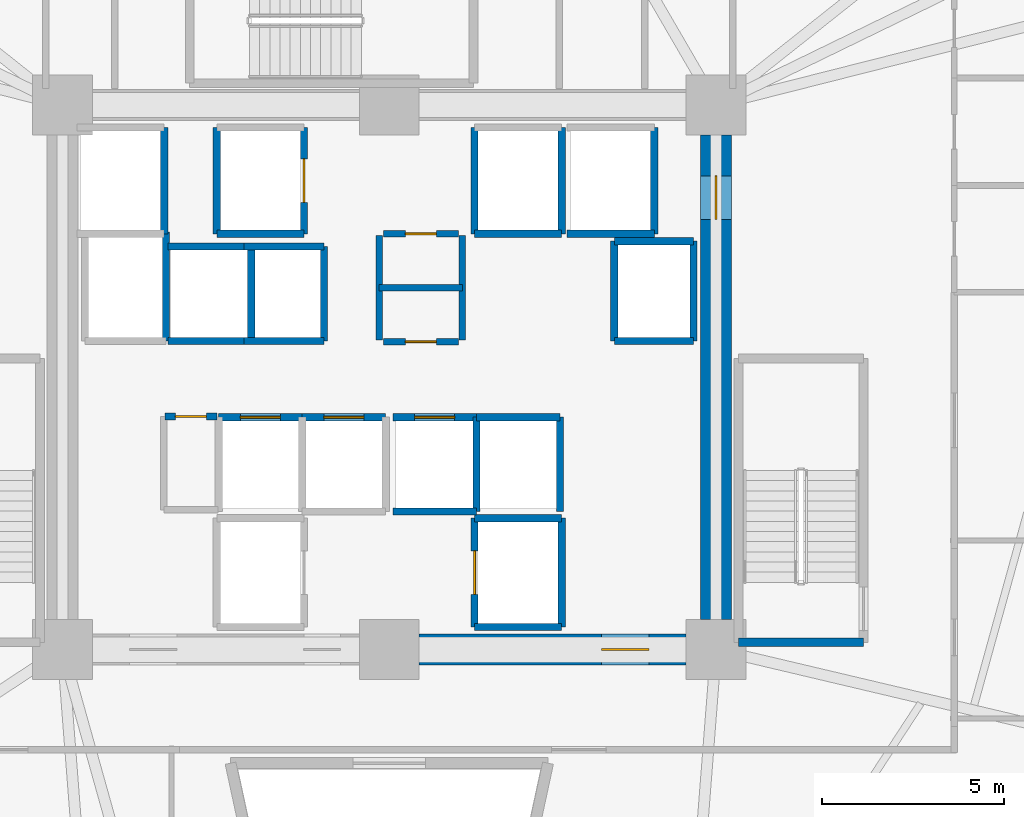
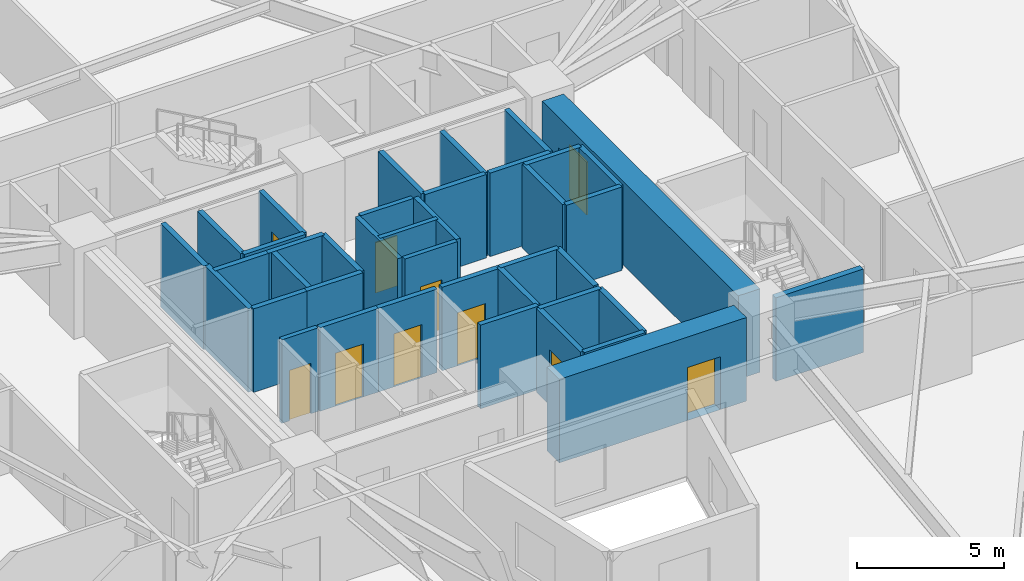
# One storey, part 5 of 8: 40 walls, 10 doors, 10 openings.
"""IFC4 building model written with IfcOpenShell, lengths in metres."""

from ifc_helpers import new_model, si_unit, direction, frame, frame_2d, origin, place, context, subcontext, project, spatial, rectangle, extrude, source, transform, mapped, material, layer, layer_set, type_object, element, fill, save


model = new_model("IFC4")

# Units and contexts
model_context = context("Model", 3, precision=1e-05, world=origin(), true_north=direction((0.0, 1.0)))
body_context = subcontext(model_context, "Body", "Model", "MODEL_VIEW")
ifc_project = project(units=[si_unit("LENGTHUNIT", "METRE"), si_unit("AREAUNIT", "SQUARE_METRE"), si_unit("VOLUMEUNIT", "CUBIC_METRE"), si_unit("PLANEANGLEUNIT", "RADIAN"), si_unit("MASSUNIT", "GRAM", prefix="KILO")], contexts=[model_context])

# Site, building, storey
site_placement = place(None, origin())
site = spatial("IfcSite", under=ifc_project, at=site_placement, CompositionType="ELEMENT")
building_placement = place(site_placement, origin())
building = spatial("IfcBuilding", under=site, at=building_placement, Name="Liaohun Quay Tower", CompositionType="ELEMENT")
storey_placement = place(building_placement, frame((0.0, 0.0, 43.5)))
storey = spatial("IfcBuildingStorey", under=building, at=storey_placement, Name="L11", CompositionType="ELEMENT", Elevation=43.5)

# Wall, opening, door
ifc_material_1 = material(Name="Concrete C60", Category="concrete")
ifc_layer_1 = layer(ifc_material_1, 0.85009765625, Name="Concrete C60", Category="concrete")
ifc_layer_set_1 = layer_set([ifc_layer_1], Name="Concrete C60")
wall_type_1 = type_object("IfcWallType", Name="WAL-COR-Z1", PredefinedType="SHEAR", material=ifc_layer_set_1)
wall_1_placement = place(storey_placement, frame((69.0, 60.675048828125, 0.0), z_axis=(0.0, 0.0, 1.0), x_axis=(0.0, -1.0, 0.0)))
wall_1 = element("IfcWall", 1, at=wall_1_placement, inside=storey, type_object=wall_type_1, Name="L11 Central Core Shear Wall E", PredefinedType="SHEAR", context=body_context, shape_type="SweptSolid", body=[
    extrude(rectangle(XDim=13.35009765625, YDim=0.85009765625, at=frame_2d((6.675048828125, 0.0))), origin(), (0.0, 0.0, 1.0), 3.469970703125),
])
shared_shape_1 = source(origin(), body_context, "Body", "SweptSolid", [
    extrude(rectangle(XDim=1.199951171875, YDim=2.199951171875, at=frame_2d((0.60009765625, 1.10009765625))), frame((0.0, 0.43505859375, 0.0), z_axis=(0.0, -1.0, 0.0), x_axis=(1.0, 0.0, 0.0)), (0.0, 0.0, 1.0), 0.8701171875),
])
opening_1_placement = place(wall_1_placement, frame((1.125, 0.0, 0.0)))
opening_1 = element("IfcOpeningElement", 2, at=opening_1_placement, cuts=wall_1, Name="Opening SD1", PredefinedType="OPENING", context=body_context, shape_type="MappedRepresentation", body=[
    mapped(shared_shape_1, transform((0.0, 0.0, 0.0), x_axis=(1.0, 0.0, 0.0), y_axis=(0.0, 1.0, 0.0), z_axis=(0.0, 0.0, 1.0), scale=1.0)),
])
ifc_material_2 = material(Name="Galvanised steel fire door", Category="steel")
door_type_1 = type_object("IfcDoorType", Name="DOR-STR-1200", OperationType="NOTDEFINED", PredefinedType="DOOR", material=ifc_material_2)
shared_shape_2 = source(origin(), body_context, "Body", "SweptSolid", [
    extrude(rectangle(XDim=1.199951171875, YDim=2.199951171875, at=frame_2d((0.60009765625, 1.10009765625))), frame((0.0, 0.02490234375, 0.0), z_axis=(0.0, -1.0, 0.0), x_axis=(1.0, 0.0, 0.0)), (0.0, 0.0, 1.0), 0.050048828125),
])
door_1_placement = place(opening_1_placement, origin())
door_1 = element("IfcDoor", 3, at=door_1_placement, inside=storey, type_object=door_type_1, Name="L11 North-East Core Lobby Smokeproof Door", OperationType="SINGLE_SWING_LEFT", OverallHeight=2.199951171875, OverallWidth=1.199951171875, PredefinedType="DOOR", context=body_context, shape_type="MappedRepresentation", body=[
    mapped(shared_shape_2, transform((0.0, 0.0, 0.0), x_axis=(1.0, 0.0, 0.0), y_axis=(0.0, 1.0, 0.0), z_axis=(0.0, 0.0, 1.0), scale=1.0)),
])
fill(opening_1, door_1)

wall_2_placement = place(storey_placement, frame((68.175048828125, 46.5, 0.0), z_axis=(0.0, 0.0, 1.0), x_axis=(-1.0, 0.0, 0.0)))
wall_2 = element("IfcWall", 4, at=wall_2_placement, inside=storey, type_object=wall_type_1, Name="L11 Central Core Shear Wall S-E", PredefinedType="SHEAR", context=body_context, shape_type="SweptSolid", body=[
    extrude(rectangle(XDim=7.35009765625, YDim=0.85009765625, at=frame_2d((3.675048828125, 0.0))), origin(), (0.0, 0.0, 1.0), 3.469970703125),
])
shared_shape_3 = source(origin(), body_context, "Body", "SweptSolid", [
    extrude(rectangle(XDim=1.300048828125, YDim=2.199951171875, at=frame_2d((0.64990234375, 1.10009765625))), frame((0.0, 0.43505859375, 0.0), z_axis=(0.0, -1.0, 0.0), x_axis=(1.0, 0.0, 0.0)), (0.0, 0.0, 1.0), 0.8701171875),
])
opening_2_placement = place(wall_2_placement, frame((1.02490234375, 0.0, 0.0)))
opening_2 = element("IfcOpeningElement", 5, at=opening_2_placement, cuts=wall_2, Name="Opening FD1", PredefinedType="OPENING", context=body_context, shape_type="MappedRepresentation", body=[
    mapped(shared_shape_3, transform((0.0, 0.0, 0.0), x_axis=(1.0, 0.0, 0.0), y_axis=(0.0, 1.0, 0.0), z_axis=(0.0, 0.0, 1.0), scale=1.0)),
])
ifc_material_3 = material(Name="Galvanised steel smokeproof fire door", Category="steel")
door_type_2 = type_object("IfcDoorType", Name="DOR-FFL-1300", OperationType="NOTDEFINED", PredefinedType="DOOR", material=ifc_material_3)
shared_shape_4 = source(origin(), body_context, "Body", "SweptSolid", [
    extrude(rectangle(XDim=1.300048828125, YDim=2.199951171875, at=frame_2d((0.64990234375, 1.10009765625))), frame((0.0, 0.02490234375, 0.0), z_axis=(0.0, -1.0, 0.0), x_axis=(1.0, 0.0, 0.0)), (0.0, 0.0, 1.0), 0.050048828125),
])
door_2_placement = place(opening_2_placement, origin())
door_2 = element("IfcDoor", 6, at=door_2_placement, inside=storey, type_object=door_type_2, Name="L11 East Core Lift Lobby Smokeproof Door", OperationType="SINGLE_SWING_LEFT", OverallHeight=2.199951171875, OverallWidth=1.300048828125, PredefinedType="DOOR", context=body_context, shape_type="MappedRepresentation", body=[
    mapped(shared_shape_4, transform((0.0, 0.0, 0.0), x_axis=(1.0, 0.0, 0.0), y_axis=(0.0, 1.0, 0.0), z_axis=(0.0, 0.0, 1.0), scale=1.0)),
])
fill(opening_2, door_2)

ifc_material_4 = material(Name="Autoclaved aerated concrete blockwork", Category="masonry")
ifc_layer_2 = layer(ifc_material_4, 0.179931640625, Name="Autoclaved aerated concrete blockwork", Category="masonry")
ifc_layer_set_2 = layer_set([ifc_layer_2], Name="Autoclaved aerated concrete blockwork")
wall_type_2 = type_object("IfcWallType", Name="WAL-PRT-COR", PredefinedType="PARTITIONING", material=ifc_layer_set_2)
wall_3_placement = place(storey_placement, frame((59.840087890625, 54.97998046875, 0.0), z_axis=(0.0, 0.0, 1.0), x_axis=(1.0, 0.0, 0.0)))
wall_3 = element("IfcWall", 7, at=wall_3_placement, inside=storey, type_object=wall_type_2, Name="L11 Interior Partition Wall 001", PredefinedType="PARTITIONING", context=body_context, shape_type="SweptSolid", body=[
    extrude(rectangle(XDim=2.059814453125, YDim=0.179931640625, at=frame_2d((1.02978515625, 0.0))), origin(), (0.0, 0.0, 1.0), 3.469970703125),
])
shared_shape_5 = source(origin(), body_context, "Body", "SweptSolid", [
    extrude(rectangle(XDim=0.85009765625, YDim=2.10009765625, at=frame_2d((0.425048828125, 1.050048828125))), frame((0.0, 0.099853515625, 0.0), z_axis=(0.0, -1.0, 0.0), x_axis=(1.0, 0.0, 0.0)), (0.0, 0.0, 1.0), 0.199951171875),
])
opening_3_placement = place(wall_3_placement, frame((0.60498046875, 0.0, 0.0)))
opening_3 = element("IfcOpeningElement", 8, at=opening_3_placement, cuts=wall_3, Name="Opening AD1", PredefinedType="OPENING", context=body_context, shape_type="MappedRepresentation", body=[
    mapped(shared_shape_5, transform((0.0, 0.0, 0.0), x_axis=(1.0, 0.0, 0.0), y_axis=(0.0, 1.0, 0.0), z_axis=(0.0, 0.0, 1.0), scale=1.0)),
])
ifc_material_5 = material(Name="Steel riser inspection fire door", Category="steel")
door_type_3 = type_object("IfcDoorType", Name="DOR-SHF-850", OperationType="NOTDEFINED", PredefinedType="DOOR", material=ifc_material_5)
shared_shape_6 = source(origin(), body_context, "Body", "SweptSolid", [
    extrude(rectangle(XDim=0.85009765625, YDim=2.10009765625, at=frame_2d((0.425048828125, 1.050048828125))), frame((0.0, 0.02490234375, 0.0), z_axis=(0.0, -1.0, 0.0), x_axis=(1.0, 0.0, 0.0)), (0.0, 0.0, 1.0), 0.050048828125),
])
door_3_placement = place(opening_3_placement, origin())
door_3 = element("IfcDoor", 9, at=door_3_placement, inside=storey, type_object=door_type_3, Name="L11 Electrical Riser Room Door", OperationType="SINGLE_SWING_RIGHT", OverallHeight=2.10009765625, OverallWidth=0.85009765625, PredefinedType="DOOR", context=body_context, shape_type="MappedRepresentation", body=[
    mapped(shared_shape_6, transform((0.0, 0.0, 0.0), x_axis=(1.0, 0.0, 0.0), y_axis=(0.0, 1.0, 0.0), z_axis=(0.0, 0.0, 1.0), scale=1.0)),
])
fill(opening_3, door_3)

wall_4_placement = place(storey_placement, frame((59.840087890625, 57.949951171875, 0.0), z_axis=(0.0, 0.0, 1.0), x_axis=(1.0, 0.0, 0.0)))
wall_4 = element("IfcWall", 10, at=wall_4_placement, inside=storey, type_object=wall_type_2, Name="L11 Interior Partition Wall 002", PredefinedType="PARTITIONING", context=body_context, shape_type="SweptSolid", body=[
    extrude(rectangle(XDim=2.059814453125, YDim=0.179931640625, at=frame_2d((1.02978515625, 0.0))), origin(), (0.0, 0.0, 1.0), 3.469970703125),
])
opening_4_placement = place(wall_4_placement, frame((0.60498046875, 0.0, 0.0)))
opening_4 = element("IfcOpeningElement", 11, at=opening_4_placement, cuts=wall_4, Name="Opening AD1", PredefinedType="OPENING", context=body_context, shape_type="MappedRepresentation", body=[
    mapped(shared_shape_5, transform((0.0, 0.0, 0.0), x_axis=(1.0, 0.0, 0.0), y_axis=(0.0, 1.0, 0.0), z_axis=(0.0, 0.0, 1.0), scale=1.0)),
])
door_4_placement = place(opening_4_placement, origin())
door_4 = element("IfcDoor", 12, at=door_4_placement, inside=storey, type_object=door_type_3, Name="L11 Telecom Comms Closet Door", OperationType="SINGLE_SWING_LEFT", OverallHeight=2.10009765625, OverallWidth=0.85009765625, PredefinedType="DOOR", context=body_context, shape_type="MappedRepresentation", body=[
    mapped(shared_shape_6, transform((0.0, 0.0, 0.0), x_axis=(1.0, 0.0, 0.0), y_axis=(0.0, 1.0, 0.0), z_axis=(0.0, 0.0, 1.0), scale=1.0)),
])
fill(opening_4, door_4)

wall_5_placement = place(storey_placement, frame((53.820068359375, 52.919921875, 0.0), z_axis=(0.0, 0.0, 1.0), x_axis=(1.0, 0.0, 0.0)))
wall_5 = element("IfcWall", 13, at=wall_5_placement, inside=storey, type_object=wall_type_2, Name="L11 Interior Partition Wall 003", PredefinedType="PARTITIONING", context=body_context, shape_type="SweptSolid", body=[
    extrude(rectangle(XDim=1.429931640625, YDim=0.179931640625, at=frame_2d((0.71484375, 0.0))), origin(), (0.0, 0.0, 1.0), 3.469970703125),
])
opening_5_placement = place(wall_5_placement, frame((0.2900390625, 0.0, 0.0)))
opening_5 = element("IfcOpeningElement", 14, at=opening_5_placement, cuts=wall_5, Name="Opening AD1", PredefinedType="OPENING", context=body_context, shape_type="MappedRepresentation", body=[
    mapped(shared_shape_5, transform((0.0, 0.0, 0.0), x_axis=(1.0, 0.0, 0.0), y_axis=(0.0, 1.0, 0.0), z_axis=(0.0, 0.0, 1.0), scale=1.0)),
])
door_5_placement = place(opening_5_placement, origin())
door_5 = element("IfcDoor", 15, at=door_5_placement, inside=storey, type_object=door_type_3, Name="L11 Core Fire Hose and Riser Closet Door", OperationType="SINGLE_SWING_RIGHT", OverallHeight=2.10009765625, OverallWidth=0.85009765625, PredefinedType="DOOR", context=body_context, shape_type="MappedRepresentation", body=[
    mapped(shared_shape_6, transform((0.0, 0.0, 0.0), x_axis=(1.0, 0.0, 0.0), y_axis=(0.0, 1.0, 0.0), z_axis=(0.0, 0.0, 1.0), scale=1.0)),
])
fill(opening_5, door_5)

# Walls
for number, where, z_axis, x_axis, name in (
    (16, (59.719970703125, 55.02001953125, 0.0), (0.0, 0.0, 1.0), (0.0, 1.0, 0.0), "L11 Interior Partition Wall 023"),
    (17, (62.010009765625, 55.02001953125, 0.0), (0.0, 0.0, 1.0), (0.0, 1.0, 0.0), "L11 Interior Partition Wall 024"),
):
    element("IfcWall", number, at=place(storey_placement, frame(where, z_axis=z_axis, x_axis=x_axis)), inside=storey, type_object=wall_type_2, Name=name, PredefinedType="PARTITIONING", context=body_context, shape_type="SweptSolid", body=[
        extrude(rectangle(XDim=2.8798828125, YDim=0.179931640625, at=frame_2d((1.43994140625, 0.0))), origin(), (0.0, 0.0, 1.0), 3.469970703125),
    ])
wall_6_placement = place(storey_placement, frame((59.719970703125, 56.4599609375, 0.0), z_axis=(0.0, 0.0, 1.0), x_axis=(1.0, 0.0, 0.0)))
element("IfcWall", 18, at=wall_6_placement, inside=storey, type_object=wall_type_2, Name="L11 Interior Partition Wall 025", PredefinedType="PARTITIONING", context=body_context, shape_type="SweptSolid", body=[
    extrude(rectangle(XDim=2.2900390625, YDim=0.179931640625, at=frame_2d((1.14501953125, 0.0))), origin(), (0.0, 0.0, 1.0), 3.469970703125),
])
ifc_material_6 = material(Name="Concrete C50", Category="concrete")
ifc_layer_3 = layer(ifc_material_6, 0.239990234375, Name="Concrete C50", Category="concrete")
ifc_layer_set_3 = layer_set([ifc_layer_3], Name="Concrete C50")
wall_type_3 = type_object("IfcWallType", Name="WAL-SHF-200", PredefinedType="SOLIDWALL", material=ifc_layer_set_3)
wall_7_placement = place(storey_placement, frame((69.6201171875, 46.699951171875, 0.0), z_axis=(0.0, 0.0, 1.0), x_axis=(1.0, 0.0, 0.0)))
element("IfcWall", 19, at=wall_7_placement, inside=storey, type_object=wall_type_3, Name="L11 Stairwell ST-2 Structural Core Wall S", PredefinedType="SOLIDWALL", context=body_context, shape_type="SweptSolid", body=[
    extrude(rectangle(XDim=3.43994140625, YDim=0.239990234375, at=frame_2d((1.719970703125, 0.0))), origin(), (0.0, 0.0, 1.0), 3.469970703125),
])
wall_8_placement = place(storey_placement, frame((62.35009765625, 47.1201171875, 0.0), z_axis=(0.0, 0.0, 1.0), x_axis=(1.0, 0.0, 0.0)))
element("IfcWall", 20, at=wall_8_placement, inside=storey, type_object=wall_type_3, Name="L11 Lift FF-02 Hoistway Wall S", PredefinedType="SOLIDWALL", context=body_context, shape_type="SweptSolid", body=[
    extrude(rectangle(XDim=2.39990234375, YDim=0.199951171875, at=frame_2d((1.199951171875, 0.0))), origin(), (0.0, 0.0, 1.0), 3.469970703125),
])
wall_9_placement = place(storey_placement, frame((64.75, 47.1201171875, 0.0), z_axis=(0.0, 0.0, 1.0), x_axis=(0.0, 1.0, 0.0)))
element("IfcWall", 21, at=wall_9_placement, inside=storey, type_object=wall_type_3, Name="L11 Lift FF-02 Hoistway Wall E", PredefinedType="SOLIDWALL", context=body_context, shape_type="SweptSolid", body=[
    extrude(rectangle(XDim=3.0, YDim=0.199951171875, at=frame_2d((1.5, 0.0))), origin(), (0.0, 0.0, 1.0), 3.469970703125),
])
wall_10_placement = place(storey_placement, frame((64.75, 50.1201171875, 0.0), z_axis=(0.0, 0.0, 1.0), x_axis=(-1.0, 0.0, 0.0)))
element("IfcWall", 22, at=wall_10_placement, inside=storey, type_object=wall_type_3, Name="L11 Lift FF-02 Hoistway Wall N", PredefinedType="SOLIDWALL", context=body_context, shape_type="SweptSolid", body=[
    extrude(rectangle(XDim=2.39990234375, YDim=0.199951171875, at=frame_2d((1.199951171875, 0.0))), origin(), (0.0, 0.0, 1.0), 3.469970703125),
])

# Wall, opening, door
wall_11_placement = place(storey_placement, frame((62.35009765625, 50.1201171875, 0.0), z_axis=(0.0, 0.0, 1.0), x_axis=(0.0, -1.0, 0.0)))
wall_11 = element("IfcWall", 23, at=wall_11_placement, inside=storey, type_object=wall_type_3, Name="L11 Lift FF-02 Hoistway Wall W", PredefinedType="SOLIDWALL", context=body_context, shape_type="SweptSolid", body=[
    extrude(rectangle(XDim=3.0, YDim=0.199951171875, at=frame_2d((1.5, 0.0))), origin(), (0.0, 0.0, 1.0), 3.469970703125),
])
shared_shape_7 = source(origin(), body_context, "Body", "SweptSolid", [
    extrude(rectangle(XDim=1.199951171875, YDim=2.300048828125, at=frame_2d((0.60009765625, 1.14990234375))), frame((0.0, 0.10986328125, 0.0), z_axis=(0.0, -1.0, 0.0), x_axis=(1.0, 0.0, 0.0)), (0.0, 0.0, 1.0), 0.219970703125),
])
opening_6_placement = place(wall_11_placement, frame((0.89990234375, 0.0, 0.0)))
opening_6 = element("IfcOpeningElement", 24, at=opening_6_placement, cuts=wall_11, Name="Opening LD2", PredefinedType="OPENING", context=body_context, shape_type="MappedRepresentation", body=[
    mapped(shared_shape_7, transform((0.0, 0.0, 0.0), x_axis=(1.0, 0.0, 0.0), y_axis=(0.0, 1.0, 0.0), z_axis=(0.0, 0.0, 1.0), scale=1.0)),
])
ifc_material_7 = material(Name="Brushed stainless steel stretcher landing door", Category="steel")
door_type_4 = type_object("IfcDoorType", Name="DOR-LFT-1200", OperationType="SLIDING_TO_LEFT", PredefinedType="DOOR", material=ifc_material_7)
shared_shape_8 = source(origin(), body_context, "Body", "SweptSolid", [
    extrude(rectangle(XDim=1.199951171875, YDim=2.300048828125, at=frame_2d((0.60009765625, 1.14990234375))), frame((0.0, 0.02490234375, 0.0), z_axis=(0.0, -1.0, 0.0), x_axis=(1.0, 0.0, 0.0)), (0.0, 0.0, 1.0), 0.050048828125),
])
door_6_placement = place(opening_6_placement, origin())
door_6 = element("IfcDoor", 25, at=door_6_placement, inside=storey, type_object=door_type_4, Name="L11 Lift FF-02 Sliding Landing Door", OperationType="SLIDING_TO_LEFT", OverallHeight=2.300048828125, OverallWidth=1.199951171875, PredefinedType="DOOR", context=body_context, shape_type="MappedRepresentation", body=[
    mapped(shared_shape_8, transform((0.0, 0.0, 0.0), x_axis=(1.0, 0.0, 0.0), y_axis=(0.0, 1.0, 0.0), z_axis=(0.0, 0.0, 1.0), scale=1.0)),
])
fill(opening_6, door_6)

# Wall
wall_12_placement = place(storey_placement, frame((55.25, 57.949951171875, 0.0), z_axis=(0.0, 0.0, 1.0), x_axis=(1.0, 0.0, 0.0)))
element("IfcWall", 26, at=wall_12_placement, inside=storey, type_object=wall_type_3, Name="L11 Lift FF-03 Hoistway Wall S", PredefinedType="SOLIDWALL", context=body_context, shape_type="SweptSolid", body=[
    extrude(rectangle(XDim=2.39990234375, YDim=0.199951171875, at=frame_2d((1.199951171875, 0.0))), origin(), (0.0, 0.0, 1.0), 3.469970703125),
])

# Wall, opening, door
wall_13_placement = place(storey_placement, frame((57.64990234375, 57.949951171875, 0.0), z_axis=(0.0, 0.0, 1.0), x_axis=(0.0, 1.0, 0.0)))
wall_13 = element("IfcWall", 27, at=wall_13_placement, inside=storey, type_object=wall_type_3, Name="L11 Lift FF-03 Hoistway Wall E", PredefinedType="SOLIDWALL", context=body_context, shape_type="SweptSolid", body=[
    extrude(rectangle(XDim=2.929931640625, YDim=0.199951171875, at=frame_2d((1.46484375, 0.0))), origin(), (0.0, 0.0, 1.0), 3.469970703125),
])
opening_7_placement = place(wall_13_placement, frame((0.864990234375, 0.0, 0.0)))
opening_7 = element("IfcOpeningElement", 28, at=opening_7_placement, cuts=wall_13, Name="Opening LD2", PredefinedType="OPENING", context=body_context, shape_type="MappedRepresentation", body=[
    mapped(shared_shape_7, transform((0.0, 0.0, 0.0), x_axis=(1.0, 0.0, 0.0), y_axis=(0.0, 1.0, 0.0), z_axis=(0.0, 0.0, 1.0), scale=1.0)),
])
door_7_placement = place(opening_7_placement, origin())
door_7 = element("IfcDoor", 29, at=door_7_placement, inside=storey, type_object=door_type_4, Name="L11 Lift FF-03 Sliding Landing Door", OperationType="SLIDING_TO_LEFT", OverallHeight=2.300048828125, OverallWidth=1.199951171875, PredefinedType="DOOR", context=body_context, shape_type="MappedRepresentation", body=[
    mapped(shared_shape_8, transform((0.0, 0.0, 0.0), x_axis=(1.0, 0.0, 0.0), y_axis=(0.0, 1.0, 0.0), z_axis=(0.0, 0.0, 1.0), scale=1.0)),
])
fill(opening_7, door_7)

# Walls
wall_14_placement = place(storey_placement, frame((55.25, 60.8798828125, 0.0), z_axis=(0.0, 0.0, 1.0), x_axis=(0.0, -1.0, 0.0)))
element("IfcWall", 30, at=wall_14_placement, inside=storey, type_object=wall_type_3, Name="L11 Lift FF-03 Hoistway Wall W", PredefinedType="SOLIDWALL", context=body_context, shape_type="SweptSolid", body=[
    extrude(rectangle(XDim=2.929931640625, YDim=0.199951171875, at=frame_2d((1.46484375, 0.0))), origin(), (0.0, 0.0, 1.0), 3.469970703125),
])
wall_15_placement = place(storey_placement, frame((62.35009765625, 57.949951171875, 0.0), z_axis=(0.0, 0.0, 1.0), x_axis=(1.0, 0.0, 0.0)))
element("IfcWall", 31, at=wall_15_placement, inside=storey, type_object=wall_type_3, Name="L11 Lift OB-01 Hoistway Wall S", PredefinedType="SOLIDWALL", context=body_context, shape_type="SweptSolid", body=[
    extrude(rectangle(XDim=2.39990234375, YDim=0.199951171875, at=frame_2d((1.199951171875, 0.0))), origin(), (0.0, 0.0, 1.0), 3.469970703125),
])
for number, where, z_axis, x_axis, name in (
    (32, (64.75, 57.949951171875, 0.0), (0.0, 0.0, 1.0), (0.0, 1.0, 0.0), "L11 Lift OB-01 Hoistway Wall E"),
    (33, (62.35009765625, 60.8798828125, 0.0), (0.0, 0.0, 1.0), (0.0, -1.0, 0.0), "L11 Lift OB-01 Hoistway Wall W"),
):
    element("IfcWall", number, at=place(storey_placement, frame(where, z_axis=z_axis, x_axis=x_axis)), inside=storey, type_object=wall_type_3, Name=name, PredefinedType="SOLIDWALL", context=body_context, shape_type="SweptSolid", body=[
        extrude(rectangle(XDim=2.929931640625, YDim=0.199951171875, at=frame_2d((1.46484375, 0.0))), origin(), (0.0, 0.0, 1.0), 3.469970703125),
    ])
wall_16_placement = place(storey_placement, frame((64.89990234375, 57.949951171875, 0.0), z_axis=(0.0, 0.0, 1.0), x_axis=(1.0, 0.0, 0.0)))
element("IfcWall", 34, at=wall_16_placement, inside=storey, type_object=wall_type_3, Name="L11 Lift OB-02 Hoistway Wall S", PredefinedType="SOLIDWALL", context=body_context, shape_type="SweptSolid", body=[
    extrude(rectangle(XDim=2.400146484375, YDim=0.199951171875, at=frame_2d((1.2001953125, 0.0))), origin(), (0.0, 0.0, 1.0), 3.469970703125),
])
for number, where, z_axis, x_axis, name in (
    (35, (67.300048828125, 57.949951171875, 0.0), (0.0, 0.0, 1.0), (0.0, 1.0, 0.0), "L11 Lift OB-02 Hoistway Wall E"),
    (36, (53.800048828125, 57.949951171875, 0.0), (0.0, 0.0, 1.0), (0.0, 1.0, 0.0), "L11 Lift SH-01 Hoistway Wall E"),
):
    element("IfcWall", number, at=place(storey_placement, frame(where, z_axis=z_axis, x_axis=x_axis)), inside=storey, type_object=wall_type_3, Name=name, PredefinedType="SOLIDWALL", context=body_context, shape_type="SweptSolid", body=[
        extrude(rectangle(XDim=2.929931640625, YDim=0.199951171875, at=frame_2d((1.46484375, 0.0))), origin(), (0.0, 0.0, 1.0), 3.469970703125),
    ])
wall_17_placement = place(storey_placement, frame((53.85009765625, 55.0, 0.0), z_axis=(0.0, 0.0, 1.0), x_axis=(0.0, 1.0, 0.0)))
element("IfcWall", 37, at=wall_17_placement, inside=storey, type_object=wall_type_3, Name="L11 Lift SH-02 Hoistway Wall E", PredefinedType="SOLIDWALL", context=body_context, shape_type="SweptSolid", body=[
    extrude(rectangle(XDim=3.0, YDim=0.199951171875, at=frame_2d((1.5, 0.0))), origin(), (0.0, 0.0, 1.0), 3.469970703125),
])
wall_18_placement = place(storey_placement, frame((66.199951171875, 55.0, 0.0), z_axis=(0.0, 0.0, 1.0), x_axis=(1.0, 0.0, 0.0)))
element("IfcWall", 38, at=wall_18_placement, inside=storey, type_object=wall_type_3, Name="L11 Lift SH-03 Hoistway Wall S", PredefinedType="SOLIDWALL", context=body_context, shape_type="SweptSolid", body=[
    extrude(rectangle(XDim=2.179931640625, YDim=0.199951171875, at=frame_2d((1.08984375, 0.0))), origin(), (0.0, 0.0, 1.0), 3.469970703125),
])
wall_19_placement = place(storey_placement, frame((68.3798828125, 55.0, 0.0), z_axis=(0.0, 0.0, 1.0), x_axis=(0.0, 1.0, 0.0)))
element("IfcWall", 39, at=wall_19_placement, inside=storey, type_object=wall_type_3, Name="L11 Lift SH-03 Hoistway Wall E", PredefinedType="SOLIDWALL", context=body_context, shape_type="SweptSolid", body=[
    extrude(rectangle(XDim=2.75, YDim=0.199951171875, at=frame_2d((1.375, 0.0))), origin(), (0.0, 0.0, 1.0), 3.469970703125),
])
wall_20_placement = place(storey_placement, frame((68.3798828125, 57.75, 0.0), z_axis=(0.0, 0.0, 1.0), x_axis=(-1.0, 0.0, 0.0)))
element("IfcWall", 40, at=wall_20_placement, inside=storey, type_object=wall_type_3, Name="L11 Lift SH-03 Hoistway Wall N", PredefinedType="SOLIDWALL", context=body_context, shape_type="SweptSolid", body=[
    extrude(rectangle(XDim=2.179931640625, YDim=0.199951171875, at=frame_2d((1.08984375, 0.0))), origin(), (0.0, 0.0, 1.0), 3.469970703125),
])
wall_21_placement = place(storey_placement, frame((66.199951171875, 57.75, 0.0), z_axis=(0.0, 0.0, 1.0), x_axis=(0.0, -1.0, 0.0)))
element("IfcWall", 41, at=wall_21_placement, inside=storey, type_object=wall_type_3, Name="L11 Lift SH-03 Hoistway Wall W", PredefinedType="SOLIDWALL", context=body_context, shape_type="SweptSolid", body=[
    extrude(rectangle(XDim=2.75, YDim=0.199951171875, at=frame_2d((1.375, 0.0))), origin(), (0.0, 0.0, 1.0), 3.469970703125),
])

# Wall, opening, door
wall_22_placement = place(storey_placement, frame((57.60009765625, 52.89990234375, 0.0), z_axis=(0.0, 0.0, 1.0), x_axis=(-1.0, 0.0, 0.0)))
wall_22 = element("IfcWall", 42, at=wall_22_placement, inside=storey, type_object=wall_type_3, Name="L11 Lift PL-1A Hoistway Wall N", PredefinedType="SOLIDWALL", context=body_context, shape_type="SweptSolid", body=[
    extrude(rectangle(XDim=2.300048828125, YDim=0.199951171875, at=frame_2d((1.14990234375, 0.0))), origin(), (0.0, 0.0, 1.0), 3.469970703125),
])
shared_shape_9 = source(origin(), body_context, "Body", "SweptSolid", [
    extrude(rectangle(XDim=1.10009765625, YDim=2.199951171875, at=frame_2d((0.550048828125, 1.10009765625))), frame((0.0, 0.10986328125, 0.0), z_axis=(0.0, -1.0, 0.0), x_axis=(1.0, 0.0, 0.0)), (0.0, 0.0, 1.0), 0.219970703125),
])
opening_8_placement = place(wall_22_placement, frame((0.60009765625, 0.0, 0.0)))
opening_8 = element("IfcOpeningElement", 43, at=opening_8_placement, cuts=wall_22, Name="Opening LD1", PredefinedType="OPENING", context=body_context, shape_type="MappedRepresentation", body=[
    mapped(shared_shape_9, transform((0.0, 0.0, 0.0), x_axis=(1.0, 0.0, 0.0), y_axis=(0.0, 1.0, 0.0), z_axis=(0.0, 0.0, 1.0), scale=1.0)),
])
ifc_material_8 = material(Name="Brushed stainless steel landing door", Category="steel")
door_type_5 = type_object("IfcDoorType", Name="DOR-LFT-1100", OperationType="SLIDING_TO_LEFT", PredefinedType="DOOR", material=ifc_material_8)
shared_shape_10 = source(origin(), body_context, "Body", "SweptSolid", [
    extrude(rectangle(XDim=1.10009765625, YDim=2.199951171875, at=frame_2d((0.550048828125, 1.10009765625))), frame((0.0, 0.02490234375, 0.0), z_axis=(0.0, -1.0, 0.0), x_axis=(1.0, 0.0, 0.0)), (0.0, 0.0, 1.0), 0.050048828125),
])
door_8_placement = place(opening_8_placement, origin())
door_8 = element("IfcDoor", 44, at=door_8_placement, inside=storey, type_object=door_type_5, Name="L11 Lift PL-1A Sliding Landing Door", OperationType="SLIDING_TO_LEFT", OverallHeight=2.199951171875, OverallWidth=1.10009765625, PredefinedType="DOOR", context=body_context, shape_type="MappedRepresentation", body=[
    mapped(shared_shape_10, transform((0.0, 0.0, 0.0), x_axis=(1.0, 0.0, 0.0), y_axis=(0.0, 1.0, 0.0), z_axis=(0.0, 0.0, 1.0), scale=1.0)),
])
fill(opening_8, door_8)

wall_23_placement = place(storey_placement, frame((59.89990234375, 52.89990234375, 0.0), z_axis=(0.0, 0.0, 1.0), x_axis=(-1.0, 0.0, 0.0)))
wall_23 = element("IfcWall", 45, at=wall_23_placement, inside=storey, type_object=wall_type_3, Name="L11 Lift PL-1B Hoistway Wall N", PredefinedType="SOLIDWALL", context=body_context, shape_type="SweptSolid", body=[
    extrude(rectangle(XDim=2.2998046875, YDim=0.199951171875, at=frame_2d((1.14990234375, 0.0))), origin(), (0.0, 0.0, 1.0), 3.469970703125),
])
opening_9_placement = place(wall_23_placement, frame((0.60009765625, 0.0, 0.0)))
opening_9 = element("IfcOpeningElement", 46, at=opening_9_placement, cuts=wall_23, Name="Opening LD1", PredefinedType="OPENING", context=body_context, shape_type="MappedRepresentation", body=[
    mapped(shared_shape_9, transform((0.0, 0.0, 0.0), x_axis=(1.0, 0.0, 0.0), y_axis=(0.0, 1.0, 0.0), z_axis=(0.0, 0.0, 1.0), scale=1.0)),
])
door_9_placement = place(opening_9_placement, origin())
door_9 = element("IfcDoor", 47, at=door_9_placement, inside=storey, type_object=door_type_5, Name="L11 Lift PL-1B Sliding Landing Door", OperationType="SLIDING_TO_LEFT", OverallHeight=2.199951171875, OverallWidth=1.10009765625, PredefinedType="DOOR", context=body_context, shape_type="MappedRepresentation", body=[
    mapped(shared_shape_10, transform((0.0, 0.0, 0.0), x_axis=(1.0, 0.0, 0.0), y_axis=(0.0, 1.0, 0.0), z_axis=(0.0, 0.0, 1.0), scale=1.0)),
])
fill(opening_9, door_9)

# Walls
wall_24_placement = place(storey_placement, frame((60.10009765625, 50.300048828125, 0.0), z_axis=(0.0, 0.0, 1.0), x_axis=(1.0, 0.0, 0.0)))
element("IfcWall", 48, at=wall_24_placement, inside=storey, type_object=wall_type_3, Name="L11 Lift PL-1C Hoistway Wall S", PredefinedType="SOLIDWALL", context=body_context, shape_type="SweptSolid", body=[
    extrude(rectangle(XDim=2.2998046875, YDim=0.199951171875, at=frame_2d((1.14990234375, 0.0))), origin(), (0.0, 0.0, 1.0), 3.469970703125),
])
wall_25_placement = place(storey_placement, frame((62.39990234375, 50.300048828125, 0.0), z_axis=(0.0, 0.0, 1.0), x_axis=(0.0, 1.0, 0.0)))
element("IfcWall", 49, at=wall_25_placement, inside=storey, type_object=wall_type_3, Name="L11 Lift PL-1C Hoistway Wall E", PredefinedType="SOLIDWALL", context=body_context, shape_type="SweptSolid", body=[
    extrude(rectangle(XDim=2.599853515625, YDim=0.199951171875, at=frame_2d((1.2998046875, 0.0))), origin(), (0.0, 0.0, 1.0), 3.469970703125),
])

# Wall, opening, door
wall_26_placement = place(storey_placement, frame((62.39990234375, 52.89990234375, 0.0), z_axis=(0.0, 0.0, 1.0), x_axis=(-1.0, 0.0, 0.0)))
wall_26 = element("IfcWall", 50, at=wall_26_placement, inside=storey, type_object=wall_type_3, Name="L11 Lift PL-1C Hoistway Wall N", PredefinedType="SOLIDWALL", context=body_context, shape_type="SweptSolid", body=[
    extrude(rectangle(XDim=2.2998046875, YDim=0.199951171875, at=frame_2d((1.14990234375, 0.0))), origin(), (0.0, 0.0, 1.0), 3.469970703125),
])
opening_10_placement = place(wall_26_placement, frame((0.60009765625, 0.0, 0.0)))
opening_10 = element("IfcOpeningElement", 51, at=opening_10_placement, cuts=wall_26, Name="Opening LD1", PredefinedType="OPENING", context=body_context, shape_type="MappedRepresentation", body=[
    mapped(shared_shape_9, transform((0.0, 0.0, 0.0), x_axis=(1.0, 0.0, 0.0), y_axis=(0.0, 1.0, 0.0), z_axis=(0.0, 0.0, 1.0), scale=1.0)),
])
door_10_placement = place(opening_10_placement, origin())
door_10 = element("IfcDoor", 52, at=door_10_placement, inside=storey, type_object=door_type_5, Name="L11 Lift PL-1C Sliding Landing Door", OperationType="SLIDING_TO_LEFT", OverallHeight=2.199951171875, OverallWidth=1.10009765625, PredefinedType="DOOR", context=body_context, shape_type="MappedRepresentation", body=[
    mapped(shared_shape_10, transform((0.0, 0.0, 0.0), x_axis=(1.0, 0.0, 0.0), y_axis=(0.0, 1.0, 0.0), z_axis=(0.0, 0.0, 1.0), scale=1.0)),
])
fill(opening_10, door_10)

# Walls
wall_27_placement = place(storey_placement, frame((64.699951171875, 50.300048828125, 0.0), z_axis=(0.0, 0.0, 1.0), x_axis=(0.0, 1.0, 0.0)))
element("IfcWall", 53, at=wall_27_placement, inside=storey, type_object=wall_type_3, Name="L11 Lift PL-2A Hoistway Wall E", PredefinedType="SOLIDWALL", context=body_context, shape_type="SweptSolid", body=[
    extrude(rectangle(XDim=2.599853515625, YDim=0.199951171875, at=frame_2d((1.2998046875, 0.0))), origin(), (0.0, 0.0, 1.0), 3.469970703125),
])
for number, where, z_axis, x_axis, name in (
    (54, (64.699951171875, 52.89990234375, 0.0), (0.0, 0.0, 1.0), (-1.0, 0.0, 0.0), "L11 Lift PL-2A Hoistway Wall N"),
    (55, (53.89990234375, 55.0, 0.0), (0.0, 0.0, 1.0), (1.0, 0.0, 0.0), "L11 Lift PL-2B Hoistway Wall S"),
):
    element("IfcWall", number, at=place(storey_placement, frame(where, z_axis=z_axis, x_axis=x_axis)), inside=storey, type_object=wall_type_3, Name=name, PredefinedType="SOLIDWALL", context=body_context, shape_type="SweptSolid", body=[
        extrude(rectangle(XDim=2.300048828125, YDim=0.199951171875, at=frame_2d((1.14990234375, 0.0))), origin(), (0.0, 0.0, 1.0), 3.469970703125),
    ])
wall_28_placement = place(storey_placement, frame((56.199951171875, 55.0, 0.0), z_axis=(0.0, 0.0, 1.0), x_axis=(0.0, 1.0, 0.0)))
element("IfcWall", 56, at=wall_28_placement, inside=storey, type_object=wall_type_3, Name="L11 Lift PL-2B Hoistway Wall E", PredefinedType="SOLIDWALL", context=body_context, shape_type="SweptSolid", body=[
    extrude(rectangle(XDim=2.60009765625, YDim=0.199951171875, at=frame_2d((1.300048828125, 0.0))), origin(), (0.0, 0.0, 1.0), 3.469970703125),
])
wall_29_placement = place(storey_placement, frame((56.199951171875, 57.60009765625, 0.0), z_axis=(0.0, 0.0, 1.0), x_axis=(-1.0, 0.0, 0.0)))
element("IfcWall", 57, at=wall_29_placement, inside=storey, type_object=wall_type_3, Name="L11 Lift PL-2B Hoistway Wall N", PredefinedType="SOLIDWALL", context=body_context, shape_type="SweptSolid", body=[
    extrude(rectangle(XDim=2.300048828125, YDim=0.199951171875, at=frame_2d((1.14990234375, 0.0))), origin(), (0.0, 0.0, 1.0), 3.469970703125),
])
wall_30_placement = place(storey_placement, frame((56.0, 55.0, 0.0), z_axis=(0.0, 0.0, 1.0), x_axis=(1.0, 0.0, 0.0)))
element("IfcWall", 58, at=wall_30_placement, inside=storey, type_object=wall_type_3, Name="L11 Lift PL-2C Hoistway Wall S", PredefinedType="SOLIDWALL", context=body_context, shape_type="SweptSolid", body=[
    extrude(rectangle(XDim=2.199951171875, YDim=0.199951171875, at=frame_2d((1.10009765625, 0.0))), origin(), (0.0, 0.0, 1.0), 3.469970703125),
])
wall_31_placement = place(storey_placement, frame((58.199951171875, 55.0, 0.0), z_axis=(0.0, 0.0, 1.0), x_axis=(0.0, 1.0, 0.0)))
element("IfcWall", 59, at=wall_31_placement, inside=storey, type_object=wall_type_3, Name="L11 Lift PL-2C Hoistway Wall E", PredefinedType="SOLIDWALL", context=body_context, shape_type="SweptSolid", body=[
    extrude(rectangle(XDim=2.60009765625, YDim=0.199951171875, at=frame_2d((1.300048828125, 0.0))), origin(), (0.0, 0.0, 1.0), 3.469970703125),
])
wall_32_placement = place(storey_placement, frame((58.199951171875, 57.60009765625, 0.0), z_axis=(0.0, 0.0, 1.0), x_axis=(-1.0, 0.0, 0.0)))
element("IfcWall", 60, at=wall_32_placement, inside=storey, type_object=wall_type_3, Name="L11 Lift PL-2C Hoistway Wall N", PredefinedType="SOLIDWALL", context=body_context, shape_type="SweptSolid", body=[
    extrude(rectangle(XDim=2.199951171875, YDim=0.199951171875, at=frame_2d((1.10009765625, 0.0))), origin(), (0.0, 0.0, 1.0), 3.469970703125),
])

save(model, "model.ifc")
